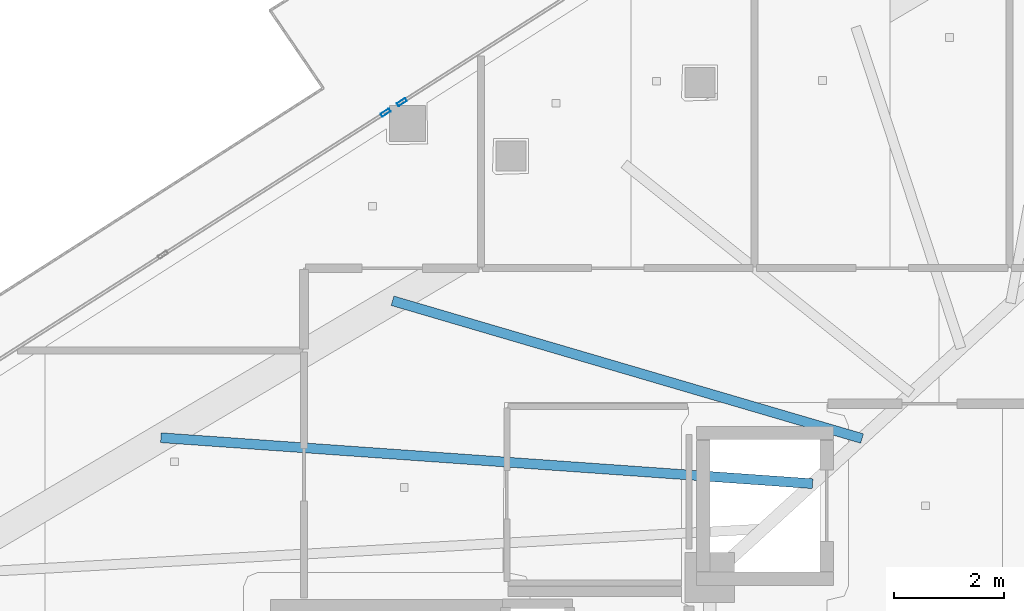
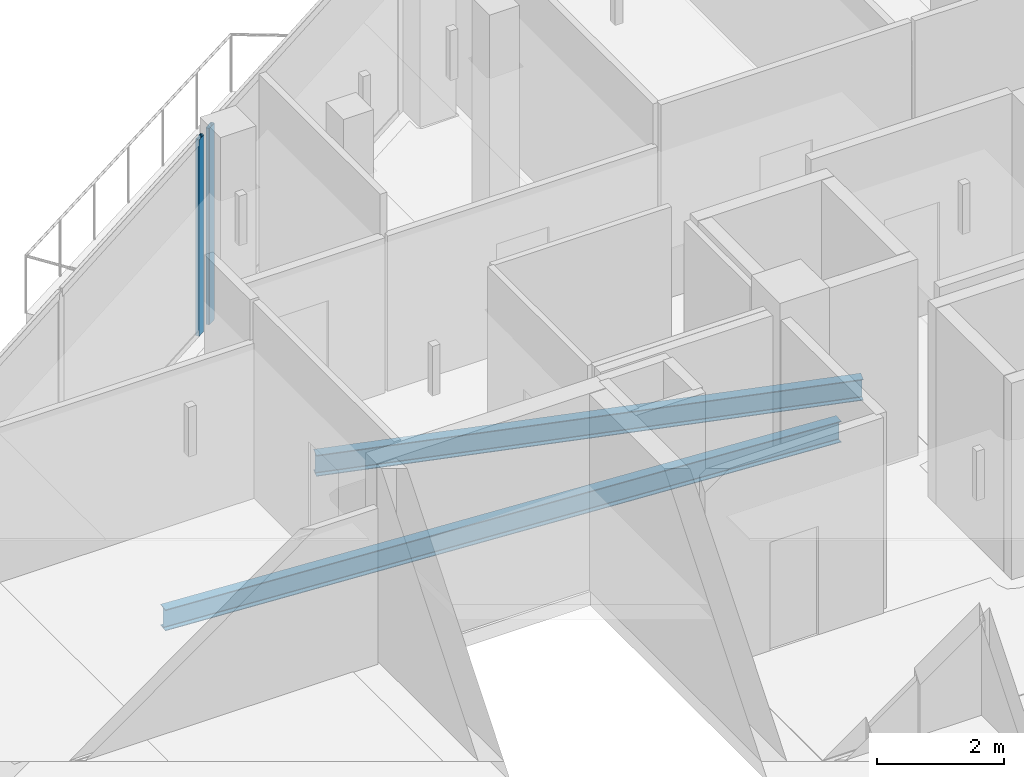
# One storey, part 15 of 36: 2 beams, 2 members, 2 elements without a shape of their own.
"""IFC4 building model written with IfcOpenShell, lengths in metres."""

from ifc_helpers import new_model, si_unit, direction, frame, origin, origin_2d, place, context, subcontext, project, spatial, hollow_rectangle, i_section, extrude, material, layer, layer_set, material_profile, profile_set, type_object, element, aggregate, save


model = new_model("IFC4")

# Units and contexts
model_context = context("Model", 3, precision=1e-05, world=origin(), true_north=direction((0.0, 1.0)))
body_context = subcontext(model_context, "Body", "Model", "MODEL_VIEW")
ifc_project = project(units=[si_unit("LENGTHUNIT", "METRE"), si_unit("AREAUNIT", "SQUARE_METRE"), si_unit("VOLUMEUNIT", "CUBIC_METRE"), si_unit("PLANEANGLEUNIT", "RADIAN"), si_unit("MASSUNIT", "GRAM", prefix="KILO")], contexts=[model_context])

# Site, building, storey
site_placement = place(None, origin())
site = spatial("IfcSite", under=ifc_project, at=site_placement, CompositionType="ELEMENT")
building_placement = place(site_placement, origin())
building = spatial("IfcBuilding", under=site, at=building_placement, Name="Qorvath Tower", CompositionType="ELEMENT")
storey_placement = place(building_placement, frame((0.0, 0.0, 241.5)))
storey = spatial("IfcBuildingStorey", under=building, at=storey_placement, Name="L56", CompositionType="ELEMENT", Elevation=241.5)

# Beams
ifc_material_1 = material(Name="Steel ASTM A992 Grade 50", Category="steel")
ifc_material_profile_1 = material_profile(ifc_material_1, i_section(OverallWidth=0.177978515625, OverallDepth=0.406005859375, WebThickness=0.0078125, FlangeThickness=0.0126953125, FilletRadius=0.010986328125, at=origin_2d()), Name="W16x40")
ifc_profile_set_1 = profile_set([ifc_material_profile_1], Name="Steel ASTM A992 Grade 50")
beam_type = type_object("IfcBeamType", Name="BM-FJ3", PredefinedType="JOIST", material=ifc_profile_set_1)
beam_1_placement = place(storey_placement, frame((-28.636962890625, 6.85107421875, -0.472900390625), z_axis=(-0.997520476731, 0.070376832146, 0.0), x_axis=(-0.070376832146, -0.997520476731, 0.0)))
element("IfcBeam", 1, at=beam_1_placement, inside=storey, type_object=beam_type, Name="Composite Floor Joist NW2 L56", PredefinedType="JOIST", context=body_context, shape_type="SweptSolid", body=[
    extrude(i_section(OverallWidth=0.177978515625, OverallDepth=0.406005859375, WebThickness=0.0078125, FlangeThickness=0.0126953125, FilletRadius=0.010986328125, at=origin_2d()), origin(), (0.0, 0.0, 1.0), 11.84326171875),
])
beam_2_placement = place(storey_placement, frame((-27.739990234375, 7.669921875, -0.472900390625), z_axis=(-0.959544992264, 0.281555337049, 0.0), x_axis=(-0.281555337049, -0.959544992264, 0.0)))
element("IfcBeam", 2, at=beam_2_placement, inside=storey, type_object=beam_type, Name="Composite Floor Joist NW3 L56", PredefinedType="JOIST", context=body_context, shape_type="SweptSolid", body=[
    extrude(i_section(OverallWidth=0.177978515625, OverallDepth=0.406005859375, WebThickness=0.0078125, FlangeThickness=0.0126953125, FilletRadius=0.010986328125, at=origin_2d()), origin(), (0.0, 0.0, 1.0), 8.87060546875),
])

# Curtain wall, member
ifc_material_2 = material(Name="Anodised aluminium and triple low-E glass", Category="aluminium")
ifc_layer = layer(ifc_material_2, 0.179931640625)
ifc_layer_set = layer_set([ifc_layer], Name="CW-SYS-3")
curtain_wall_type = type_object("IfcCurtainWallType", Name="CW-SYS-3", PredefinedType="NOTDEFINED", material=ifc_layer_set)
curtain_wall_1_placement = place(storey_placement, origin())
curtain_wall_1 = element("IfcCurtainWall", 3, at=curtain_wall_1_placement, inside=storey, type_object=curtain_wall_type, Name="Curtain Wall CW-3 CW-T-L56-16.2", PredefinedType="NOTDEFINED")
ifc_material_3 = material(Name="Anodised aluminium 6063-T6", Category="aluminium")
ifc_material_profile_2 = material_profile(ifc_material_3, hollow_rectangle(XDim=0.06494140625, YDim=0.179931640625, WallThickness=0.00341796875, InnerFilletRadius=0.00341796875, OuterFilletRadius=0.007080078125, at=origin_2d()), Name="CWM 180x65")
ifc_profile_set_2 = profile_set([ifc_material_profile_2], Name="Anodised aluminium 6063-T6")
member_type = type_object("IfcMemberType", Name="CWM-180", PredefinedType="MULLION", material=ifc_profile_set_2)
member_1_placement = place(storey_placement, frame((-36.081787109375, 13.7685546875, 0.0), z_axis=(0.0, 0.0, 1.0), x_axis=(0.538519791825, -0.842612861172, 0.0)))
member_1 = element("IfcMember", 4, at=member_1_placement, type_object=member_type, Name="CW-3 mullion 2", PredefinedType="MULLION", context=body_context, shape_type="SweptSolid", body=[
    extrude(hollow_rectangle(XDim=0.06494140625, YDim=0.179931640625, WallThickness=0.00341796875, InnerFilletRadius=0.00341796875, OuterFilletRadius=0.007080078125, at=origin_2d()), origin(), (0.0, 0.0, 1.0), 3.780029296875),
])
aggregate(curtain_wall_1, [member_1])

curtain_wall_2_placement = place(storey_placement, origin())
curtain_wall_2 = element("IfcCurtainWall", 5, at=curtain_wall_2_placement, inside=storey, type_object=curtain_wall_type, Name="Curtain Wall CW-3 CW-T-L56-16.3", PredefinedType="NOTDEFINED")
member_2_placement = place(storey_placement, frame((-36.3779296875, 13.578857421875, 0.0), z_axis=(0.0, 0.0, 1.0), x_axis=(0.538526839039, -0.842608357207, 0.0)))
member_2 = element("IfcMember", 6, at=member_2_placement, type_object=member_type, Name="CW-3 mullion 1", PredefinedType="MULLION", context=body_context, shape_type="SweptSolid", body=[
    extrude(hollow_rectangle(XDim=0.06494140625, YDim=0.179931640625, WallThickness=0.00341796875, InnerFilletRadius=0.00341796875, OuterFilletRadius=0.007080078125, at=origin_2d()), origin(), (0.0, 0.0, 1.0), 3.780029296875),
])
aggregate(curtain_wall_2, [member_2])

save(model, "model.ifc")
